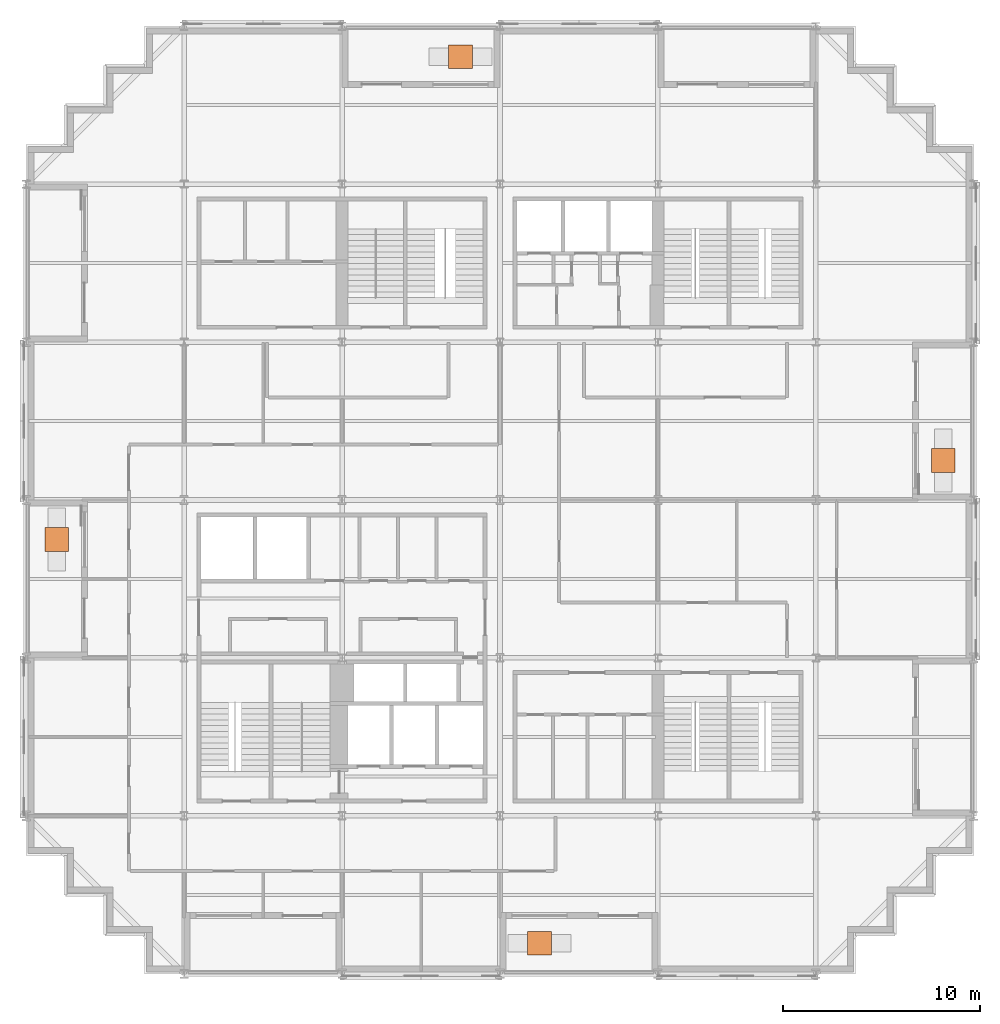
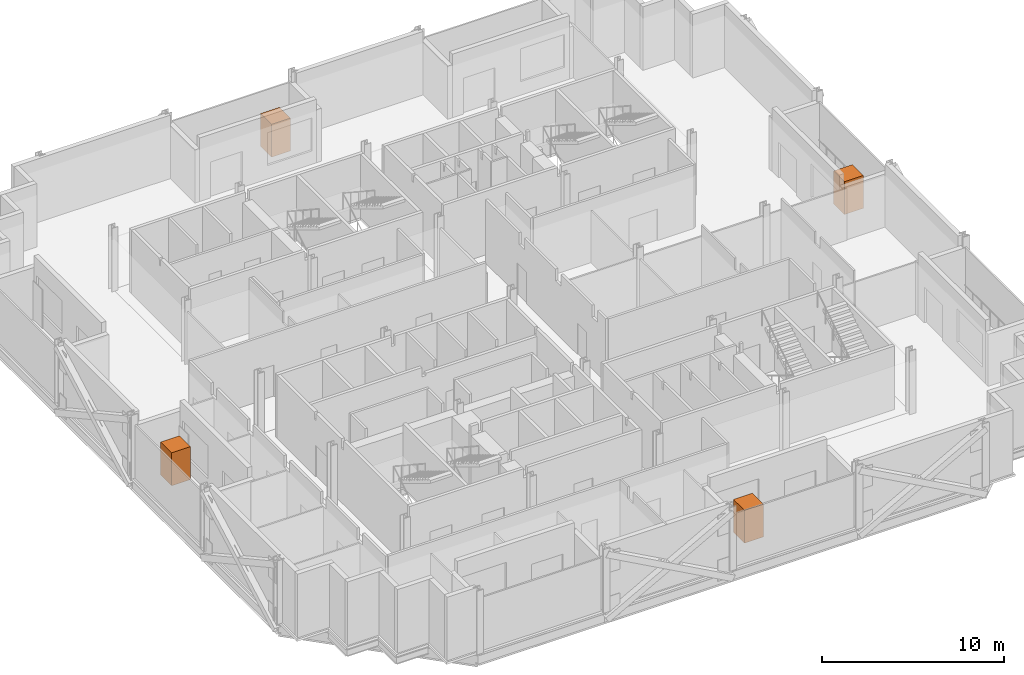
# One storey, part 15 of 15: 4 geographic elements.
"""IFC4 building model written with IfcOpenShell, lengths in metres."""

from ifc_helpers import new_model, si_unit, direction, frame, origin, origin_2d, place, context, subcontext, project, spatial, rectangle, extrude, material, type_object, element, save


model = new_model("IFC4")

# Units and contexts
model_context = context("Model", 3, precision=1e-05, world=origin(), true_north=direction((0.0, 1.0)))
body_context = subcontext(model_context, "Body", "Model", "MODEL_VIEW")
ifc_project = project(units=[si_unit("LENGTHUNIT", "METRE"), si_unit("AREAUNIT", "SQUARE_METRE"), si_unit("VOLUMEUNIT", "CUBIC_METRE"), si_unit("PLANEANGLEUNIT", "RADIAN"), si_unit("MASSUNIT", "GRAM", prefix="KILO")], contexts=[model_context])

# Site, building, storey
site_placement = place(None, origin())
site = spatial("IfcSite", under=ifc_project, at=site_placement, CompositionType="ELEMENT")
building_placement = place(site_placement, origin())
building = spatial("IfcBuilding", under=site, at=building_placement, Name="Immortelle Media Tower", CompositionType="ELEMENT")
storey_placement = place(building_placement, frame((0.0, 0.0, 83.199951171875)))
storey = spatial("IfcBuildingStorey", under=building, at=storey_placement, Name="L15", CompositionType="ELEMENT", Elevation=83.199951171875)

# Geographic elements
ifc_material = material(Name="Tree canopy foliage")
geographic_element_type = type_object("IfcGeographicElementType", Name="Tree", PredefinedType="USERDEFINED", material=ifc_material)
for number, where, z_axis, x_axis, name in (
    (1, (1.550048828125, 22.0, 0.60009765625), (0.0, 0.0, 1.0), (1.0, 0.0, 0.0), "Tree L15 W2"),
    (2, (26.0, 1.550048828125, 0.60009765625), (0.0, 0.0, 1.0), (1.0, 0.0, 0.0), "Tree L15 S2"),
    (3, (46.449951171875, 26.0, 0.60009765625), (0.0, 0.0, 1.0), (1.0, 0.0, 0.0), "Tree L15 E2"),
    (4, (22.0, 46.449951171875, 0.60009765625), (0.0, 0.0, 1.0), (1.0, 0.0, 0.0), "Tree L15 N2"),
):
    element("IfcGeographicElement", number, at=place(storey_placement, frame(where, z_axis=z_axis, x_axis=x_axis)), inside=storey, type_object=geographic_element_type, Name=name, ObjectType="Tree", PredefinedType="USERDEFINED", context=body_context, shape_type="SweptSolid", body=[
        extrude(rectangle(XDim=1.199951171875, YDim=1.199951171875, at=origin_2d()), origin(), (0.0, 0.0, 1.0), 2.199951171875),
    ])

save(model, "model.ifc")
